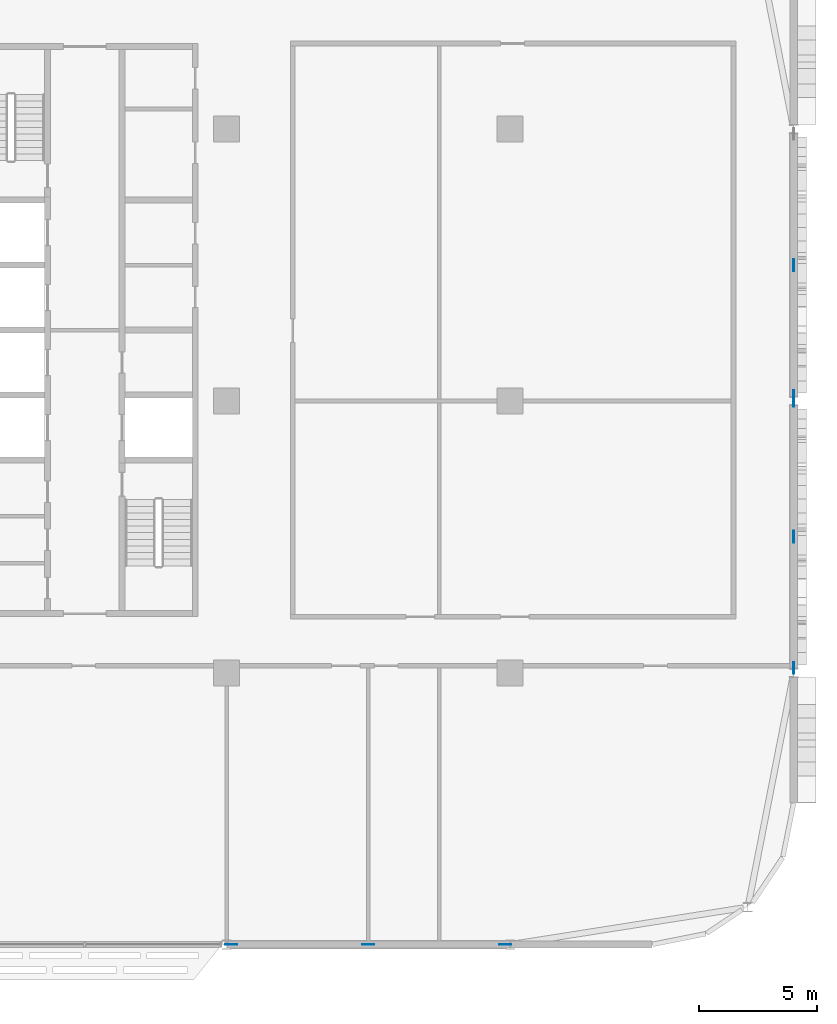
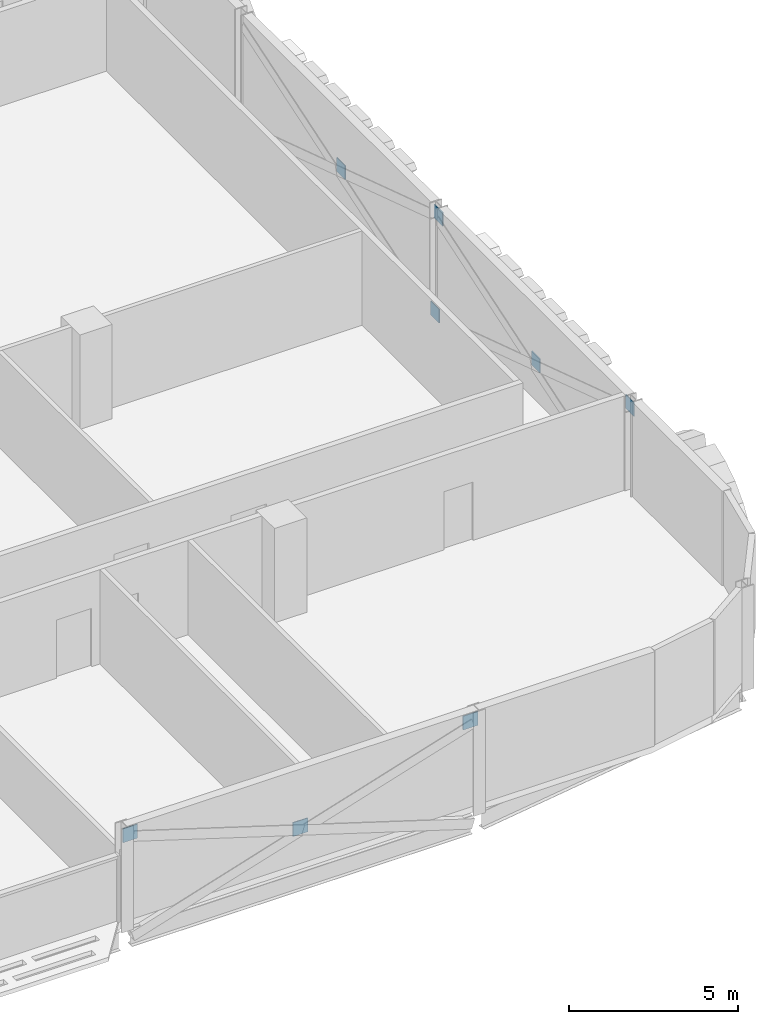
# One storey, part 23 of 30: 8 discrete accessories.
"""IFC4 building model written with IfcOpenShell, lengths in metres."""

from ifc_helpers import new_model, si_unit, direction, frame, origin, origin_2d, place, context, subcontext, project, spatial, rectangle, extrude, material, layer, layer_set, type_object, element, save


model = new_model("IFC4")

# Units and contexts
model_context = context("Model", 3, precision=1e-05, world=origin(), true_north=direction((0.0, 1.0)))
body_context = subcontext(model_context, "Body", "Model", "MODEL_VIEW")
ifc_project = project(units=[si_unit("LENGTHUNIT", "METRE"), si_unit("AREAUNIT", "SQUARE_METRE"), si_unit("VOLUMEUNIT", "CUBIC_METRE"), si_unit("PLANEANGLEUNIT", "RADIAN"), si_unit("MASSUNIT", "GRAM", prefix="KILO")], contexts=[model_context])

# Site, building, storey
site_placement = place(None, origin())
site = spatial("IfcSite", under=ifc_project, at=site_placement, CompositionType="ELEMENT")
building_placement = place(site_placement, origin())
building = spatial("IfcBuilding", under=site, at=building_placement, Name="Mahtab Terrace Research Tower", CompositionType="ELEMENT")
storey_placement = place(building_placement, frame((0.0, 0.0, 220.5)))
storey = spatial("IfcBuildingStorey", under=building, at=storey_placement, Name="L53", CompositionType="ELEMENT", Elevation=220.5)

# Discrete accessories
ifc_material = material(Name="Steel ASTM A992 Gr 50", Category="steel")
ifc_layer = layer(ifc_material, 0.030029296875)
ifc_layer_set = layer_set([ifc_layer], Name="Gusset plate 500x500x30")
discrete_accessory_type = type_object("IfcDiscreteAccessoryType", Name="Gusset plate 500x500x30", PredefinedType="USERDEFINED", material=ifc_layer_set)
for number, where, z_axis, x_axis, name in (
    (1, (30.20068359375, -23.0, 2.748291015625), (0.0, 0.0, 1.0), (1.0, 0.0, 0.0), "Gusset plate"),
    (2, (36.0, -23.0, 0.94091796875), (0.0, 0.0, 1.0), (1.0, 0.0, 0.0), "Gusset plate"),
    (3, (41.79931640625, -23.0, 2.748291015625), (0.0, 0.0, 1.0), (1.0, 0.0, 0.0), "Gusset plate"),
    (4, (54.0, -11.300537109375, 2.74609375), (0.0, 0.0, 1.0), (0.0, 1.0, 0.0), "Gusset plate"),
    (5, (54.0, -5.75, 0.94091796875), (0.0, 0.0, 1.0), (0.0, 1.0, 0.0), "Gusset plate"),
    (6, (54.0, 0.0, 2.74609375), (0.0, 0.0, 1.0), (0.0, 1.0, 0.0), "Gusset plate"),
    (7, (54.0, 0.199462890625, -0.8642578125), (0.0, 0.0, 1.0), (0.0, 1.0, 0.0), "Gusset plate"),
    (8, (54.0, 5.75, 0.94091796875), (0.0, 0.0, 1.0), (0.0, 1.0, 0.0), "Gusset plate"),
):
    element("IfcDiscreteAccessory", number, at=place(storey_placement, frame(where, z_axis=z_axis, x_axis=x_axis)), inside=storey, type_object=discrete_accessory_type, Name=name, ObjectType="GUSSET PLATE", PredefinedType="USERDEFINED", context=body_context, shape_type="SweptSolid", body=[
        extrude(rectangle(XDim=0.5, YDim=0.030029296875, at=origin_2d()), origin(), (0.0, 0.0, 1.0), 0.5),
    ])

save(model, "model.ifc")
